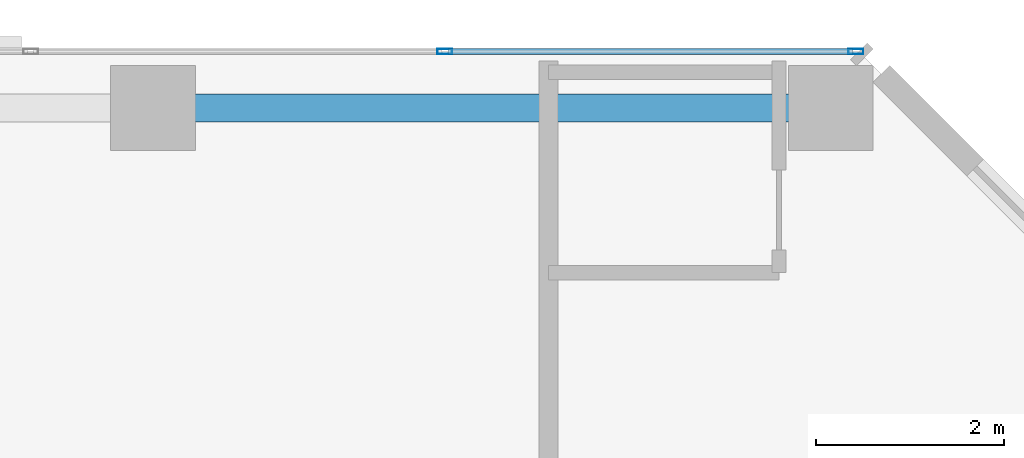
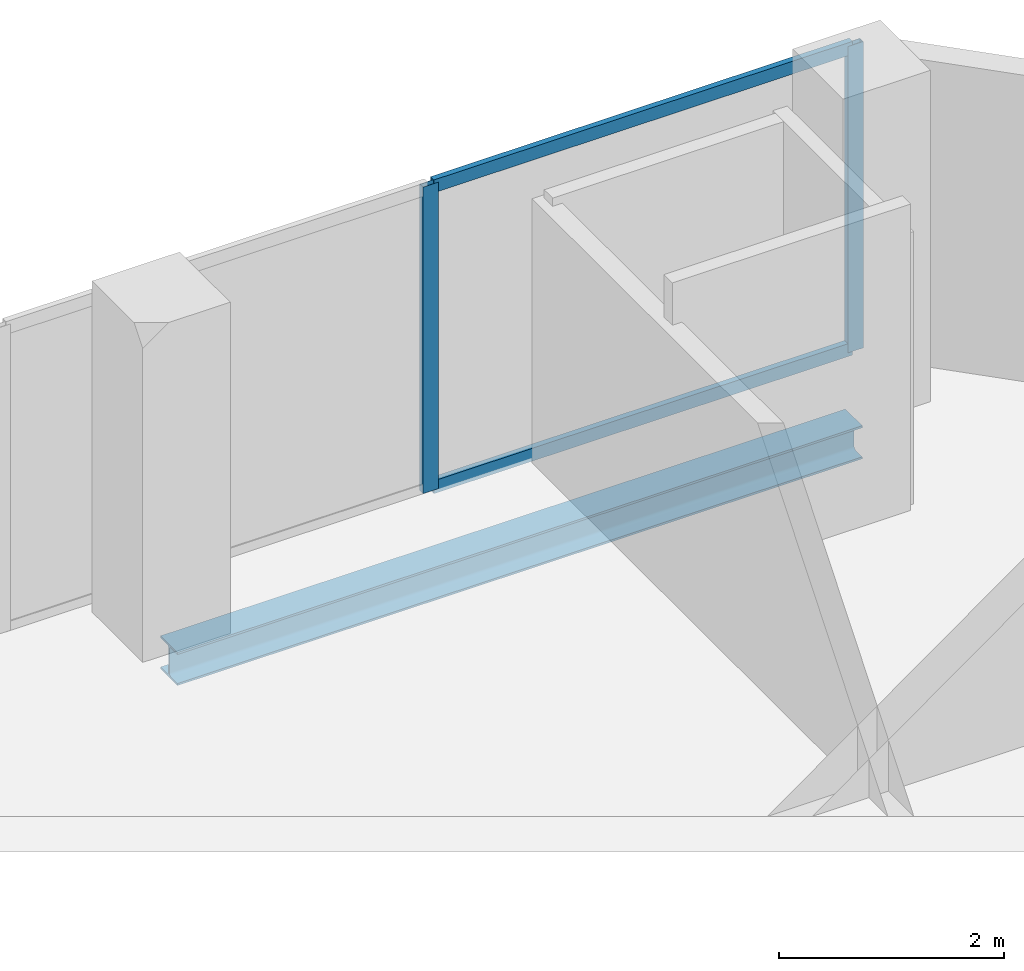
# One storey, part 25 of 33: 4 members, 1 beam, 1 element without a shape of its own.
"""IFC4 building model written with IfcOpenShell, lengths in metres."""

from ifc_helpers import new_model, si_unit, direction, frame, origin, origin_2d, place, context, subcontext, project, spatial, hollow_rectangle, i_section, extrude, material, layer, layer_set, material_profile, profile_set, type_object, element, aggregate, save


model = new_model("IFC4")

# Units and contexts
model_context = context("Model", 3, precision=1e-05, world=origin(), true_north=direction((0.0, 1.0)))
body_context = subcontext(model_context, "Body", "Model", "MODEL_VIEW")
ifc_project = project(units=[si_unit("LENGTHUNIT", "METRE"), si_unit("AREAUNIT", "SQUARE_METRE"), si_unit("VOLUMEUNIT", "CUBIC_METRE"), si_unit("PLANEANGLEUNIT", "RADIAN"), si_unit("MASSUNIT", "GRAM", prefix="KILO")], contexts=[model_context])

# Site, building, storey
site_placement = place(None, origin())
site = spatial("IfcSite", under=ifc_project, at=site_placement, CompositionType="ELEMENT")
building_placement = place(site_placement, origin())
building = spatial("IfcBuilding", under=site, at=building_placement, Name="Catumbela Crestline Tower", CompositionType="ELEMENT")
storey_placement = place(building_placement, frame((0.0, 0.0, 108.0)))
storey = spatial("IfcBuildingStorey", under=building, at=storey_placement, Name="L27", CompositionType="ELEMENT", Elevation=108.0)

# Curtain wall, members
ifc_material_1 = material(Name="Aluminium alloy AW-6060-T66", Category="aluminium")
ifc_layer = layer(ifc_material_1, 0.18, Name="Aluminium alloy AW-6060-T66")
ifc_layer_set = layer_set([ifc_layer], Name="Aluminium alloy AW-6060-T66")
curtain_wall_type = type_object("IfcCurtainWallType", Name="CWU-Z2", PredefinedType="USERDEFINED", material=ifc_layer_set)
curtain_wall_placement = place(storey_placement, origin())
curtain_wall = element("IfcCurtainWall", 1, at=curtain_wall_placement, inside=storey, type_object=curtain_wall_type, Name="L27 Unitised Curtain Wall CW-L27-E7S1", ObjectType="UNITISED", PredefinedType="USERDEFINED")
ifc_material_profile_1 = material_profile(ifc_material_1, hollow_rectangle(XDim=0.06, YDim=0.16, WallThickness=0.004, at=origin_2d()), Name="ALU 160x60x4")
ifc_profile_set_1 = profile_set([ifc_material_profile_1], Name="Aluminium alloy AW-6060-T66")
member_type_1 = type_object("IfcMemberType", Name="MUL-160X60", PredefinedType="MULLION", material=ifc_profile_set_1)
member_1_placement = place(storey_placement, frame((47.4675, 48.0, 0.0), z_axis=(0.0, 0.0, 1.0), x_axis=(0.0, -1.0, 0.0)))
member_1 = element("IfcMember", 2, at=member_1_placement, type_object=member_type_1, Name="CWU-Z2 mullion 1", PredefinedType="MULLION", context=body_context, shape_type="SweptSolid", body=[
    extrude(hollow_rectangle(XDim=0.06, YDim=0.16, WallThickness=0.004, at=origin_2d()), origin(), (0.0, 0.0, 1.0), 3.33),
])
member_2_placement = place(storey_placement, frame((43.1, 48.0, 0.0), z_axis=(0.0, 0.0, 1.0), x_axis=(0.0, -1.0, 0.0)))
member_2 = element("IfcMember", 3, at=member_2_placement, type_object=member_type_1, Name="CWU-Z2 mullion 2", PredefinedType="MULLION", context=body_context, shape_type="SweptSolid", body=[
    extrude(hollow_rectangle(XDim=0.06, YDim=0.16, WallThickness=0.004, at=origin_2d()), origin(), (0.0, 0.0, 1.0), 3.33),
])

# Beam
ifc_material_2 = material(Name="Structural steel S355J2", Category="steel")
ifc_material_profile_2 = material_profile(ifc_material_2, i_section(OverallWidth=0.3, OverallDepth=0.36, WebThickness=0.0125, FlangeThickness=0.0225, FilletRadius=0.027, at=origin_2d()), Name="HEB 360")
ifc_profile_set_2 = profile_set([ifc_material_profile_2], Name="Structural steel S355J2")
beam_type = type_object("IfcBeamType", Name="BS-HEB360", PredefinedType="SPANDREL", material=ifc_profile_set_2)
beam_placement = place(storey_placement, frame((40.08, 47.4, -0.44), z_axis=(1.0, 0.0, 0.0), x_axis=(0.0, 1.0, 0.0)))
element("IfcBeam", 4, at=beam_placement, inside=storey, type_object=beam_type, Name="L27 Spandrel SP-L27-NF21", PredefinedType="SPANDREL", context=body_context, shape_type="SweptSolid", body=[
    extrude(i_section(OverallWidth=0.3, OverallDepth=0.36, WebThickness=0.0125, FlangeThickness=0.0225, FilletRadius=0.027, at=origin_2d()), origin(), (0.0, 0.0, 1.0), 7.04),
])

# Member
ifc_material_profile_3 = material_profile(ifc_material_1, hollow_rectangle(XDim=0.06, YDim=0.14, WallThickness=0.004, at=origin_2d()), Name="ALU 140x60x4")
ifc_profile_set_3 = profile_set([ifc_material_profile_3], Name="Aluminium alloy AW-6060-T66")
member_type_2 = type_object("IfcMemberType", Name="TRN-140X60", PredefinedType="USERDEFINED", material=ifc_profile_set_3)
member_3_placement = place(storey_placement, frame((47.435, 48.0, 0.03), z_axis=(-1.0, 0.0, 0.0), x_axis=(0.0, -1.0, 0.0)))
member_3 = element("IfcMember", 5, at=member_3_placement, type_object=member_type_2, Name="CWU-Z2 transom 1.1", ObjectType="TRANSOM", PredefinedType="USERDEFINED", context=body_context, shape_type="SweptSolid", body=[
    extrude(hollow_rectangle(XDim=0.06, YDim=0.14, WallThickness=0.004, at=origin_2d()), origin(), (0.0, 0.0, 1.0), 4.3025),
])

member_4_placement = place(storey_placement, frame((47.435, 48.0, 3.3), z_axis=(-1.0, 0.0, 0.0), x_axis=(0.0, -1.0, 0.0)))
member_4 = element("IfcMember", 6, at=member_4_placement, type_object=member_type_2, Name="CWU-Z2 transom 1.2", ObjectType="TRANSOM", PredefinedType="USERDEFINED", context=body_context, shape_type="SweptSolid", body=[
    extrude(hollow_rectangle(XDim=0.06, YDim=0.14, WallThickness=0.004, at=origin_2d()), origin(), (0.0, 0.0, 1.0), 4.3025),
])

aggregate(curtain_wall, [member_1, member_2, member_3, member_4])

save(model, "model.ifc")
